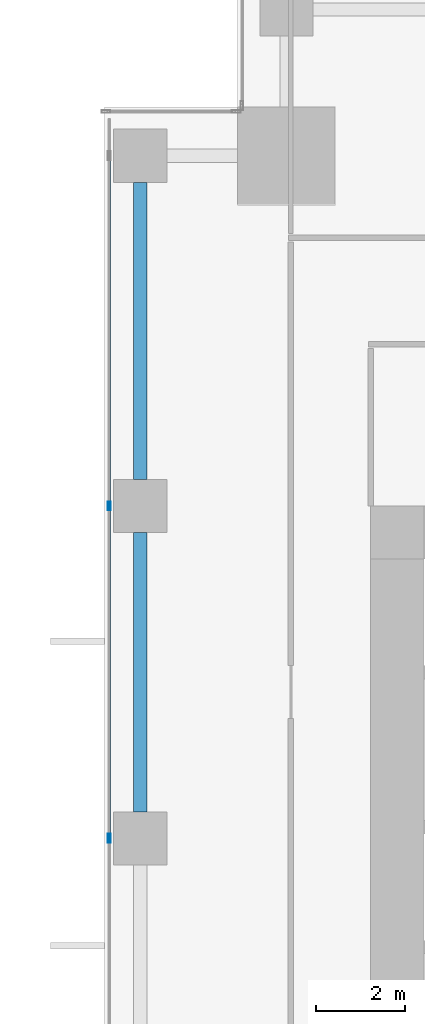
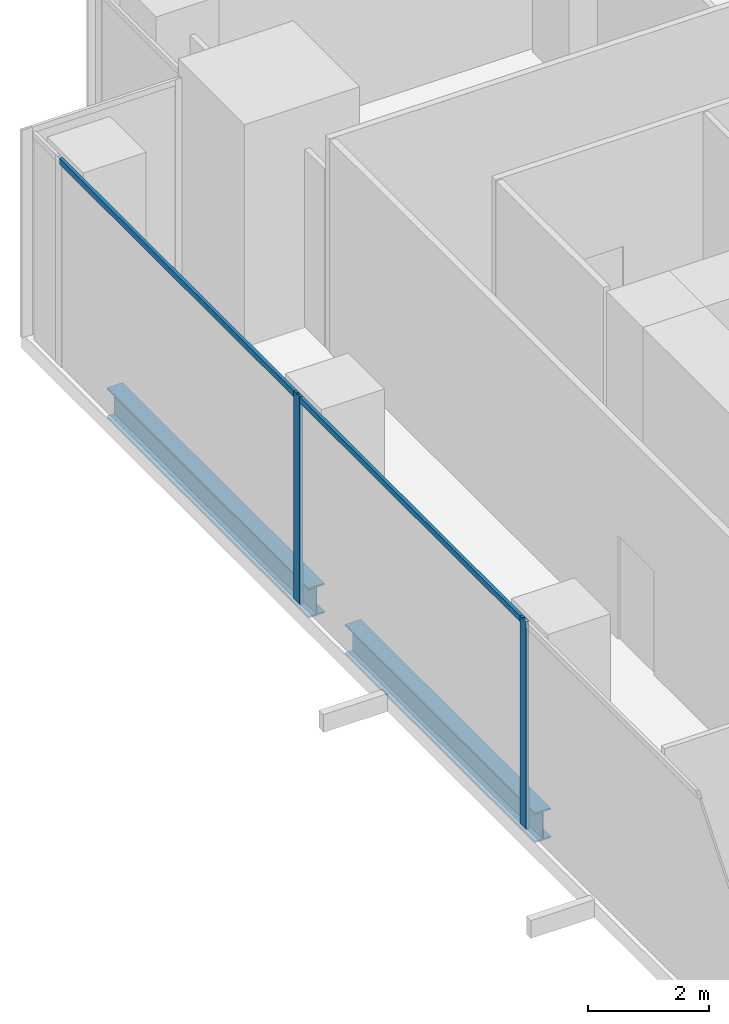
# One storey, part 12 of 33: 4 members, 2 beams, 1 element without a shape of its own.
"""IFC4 building model written with IfcOpenShell, lengths in metres."""

from ifc_helpers import new_model, si_unit, direction, frame, origin, origin_2d, place, context, subcontext, project, spatial, hollow_rectangle, i_section, extrude, source, transform, mapped, material, material_profile, profile_set, type_object, element, aggregate, save


model = new_model("IFC4")

# Units and contexts
model_context = context("Model", 3, precision=1e-05, world=origin(), true_north=direction((0.0, 1.0)))
body_context = subcontext(model_context, "Body", "Model", "MODEL_VIEW")
ifc_project = project(units=[si_unit("LENGTHUNIT", "METRE"), si_unit("AREAUNIT", "SQUARE_METRE"), si_unit("VOLUMEUNIT", "CUBIC_METRE"), si_unit("PLANEANGLEUNIT", "RADIAN"), si_unit("MASSUNIT", "GRAM", prefix="KILO")], contexts=[model_context])

# Site, building, storey
site_placement = place(None, origin())
site = spatial("IfcSite", under=ifc_project, at=site_placement, CompositionType="ELEMENT")
building_placement = place(site_placement, origin())
building = spatial("IfcBuilding", under=site, at=building_placement, Name="Khomas Fold Tower", CompositionType="ELEMENT")
storey_placement = place(building_placement, frame((0.0, 0.0, 55.5)))
storey = spatial("IfcBuildingStorey", under=building, at=storey_placement, Name="L11", CompositionType="ELEMENT", Elevation=55.5)

# Beams
ifc_material_1 = material(Name="Steel S355", Category="steel")
ifc_material_profile_1 = material_profile(ifc_material_1, i_section(OverallWidth=0.300048828125, OverallDepth=0.60009765625, WebThickness=0.015380859375, FlangeThickness=0.030029296875, at=origin_2d()), Name="HE 600 B")
ifc_profile_set_1 = profile_set([ifc_material_profile_1], Name="Steel S355")
beam_type = type_object("IfcBeamType", Name="HE 600 B spandrel SB1", PredefinedType="SPANDREL", material=ifc_profile_set_1)
shared_shape_1 = source(origin(), body_context, "Body", "SweptSolid", [
    extrude(i_section(OverallWidth=0.300048828125, OverallDepth=0.60009765625, WebThickness=0.015380859375, FlangeThickness=0.030029296875, at=origin_2d()), origin(), (0.0, 0.0, 1.0), 6.699951171875),
])
beam_1_placement = place(storey_placement, frame((0.800048828125, 42.60009765625, -0.60009765625), z_axis=(0.0, 1.0, 0.0), x_axis=(-1.0, 0.0, 0.0)))
element("IfcBeam", 1, at=beam_1_placement, inside=storey, type_object=beam_type, Name="SB1", PredefinedType="SPANDREL", context=body_context, shape_type="MappedRepresentation", body=[
    mapped(shared_shape_1, transform((0.0, 0.0, 0.0))),
])
shared_shape_2 = source(origin(), body_context, "Body", "SweptSolid", [
    extrude(i_section(OverallWidth=0.300048828125, OverallDepth=0.60009765625, WebThickness=0.015380859375, FlangeThickness=0.030029296875, at=origin_2d()), origin(), (0.0, 0.0, 1.0), 6.2998046875),
])
beam_2_placement = place(storey_placement, frame((0.800048828125, 35.10009765625, -0.60009765625), z_axis=(0.0, 1.0, 0.0), x_axis=(-1.0, 0.0, 0.0)))
element("IfcBeam", 2, at=beam_2_placement, inside=storey, type_object=beam_type, Name="SB1", PredefinedType="SPANDREL", context=body_context, shape_type="MappedRepresentation", body=[
    mapped(shared_shape_2, transform((0.0, 0.0, 0.0))),
])

# Curtain wall, members
ifc_material_2 = material(Name="Aluminium framed double glazing", Category="aluminium")
curtain_wall_type = type_object("IfcCurtainWallType", Name="SK-Unitised clear-glass wall, growing floors CW1", PredefinedType="NOTDEFINED", material=ifc_material_2)
curtain_wall_placement = place(storey_placement, origin())
curtain_wall = element("IfcCurtainWall", 3, at=curtain_wall_placement, inside=storey, type_object=curtain_wall_type, Name="CW1 run L11 09-0", PredefinedType="NOTDEFINED")
ifc_material_3 = material(Name="Aluminium", Category="aluminium")
ifc_material_profile_2 = material_profile(ifc_material_3, hollow_rectangle(XDim=0.06005859375, YDim=0.1201171875, WallThickness=0.00390625, at=origin_2d()), Name="SK-Unitised clear-glass wall, growing floors transom CW1-T")
ifc_profile_set_2 = profile_set([ifc_material_profile_2], Name="Aluminium")
member_type_1 = type_object("IfcMemberType", Name="SK-Unitised clear-glass wall, growing floors transom CW1-T", PredefinedType="USERDEFINED", material=ifc_profile_set_2)
shared_shape_3 = source(origin(), body_context, "Body", "SweptSolid", [
    extrude(hollow_rectangle(XDim=0.06005859375, YDim=0.1201171875, WallThickness=0.00390625, at=origin_2d()), origin(), (0.0, 0.0, 1.0), 7.840087890625),
])
member_1_placement = place(storey_placement, frame((0.10009765625, 49.8701171875, 4.139892578125), z_axis=(0.0, -1.0, 0.0), x_axis=(1.0, 0.0, 0.0)))
member_1 = element("IfcMember", 4, at=member_1_placement, type_object=member_type_1, Name="CW1 transom 2", ObjectType="TRANSOM", PredefinedType="USERDEFINED", context=body_context, shape_type="MappedRepresentation", body=[
    mapped(shared_shape_3, transform((0.0, 0.0, 0.0))),
])
shared_shape_4 = source(origin(), body_context, "Body", "SweptSolid", [
    extrude(hollow_rectangle(XDim=0.06005859375, YDim=0.1201171875, WallThickness=0.00390625, at=origin_2d()), origin(), (0.0, 0.0, 1.0), 7.43994140625),
])
member_2_placement = place(storey_placement, frame((0.10009765625, 41.969970703125, 4.139892578125), z_axis=(0.0, -1.0, 0.0), x_axis=(1.0, 0.0, 0.0)))
member_2 = element("IfcMember", 5, at=member_2_placement, type_object=member_type_1, Name="CW1 transom 3", ObjectType="TRANSOM", PredefinedType="USERDEFINED", context=body_context, shape_type="MappedRepresentation", body=[
    mapped(shared_shape_4, transform((0.0, 0.0, 0.0))),
])
ifc_material_4 = material(Name="Aluminium", Category="aluminium")
ifc_material_profile_3 = material_profile(ifc_material_4, hollow_rectangle(XDim=0.06005859375, YDim=0.199951171875, WallThickness=0.00390625, at=origin_2d()), Name="SK-Unitised clear-glass wall, growing floors mullion CW1-M")
ifc_profile_set_3 = profile_set([ifc_material_profile_3], Name="Aluminium")
member_type_2 = type_object("IfcMemberType", Name="SK-Unitised clear-glass wall, growing floors mullion CW1-M", PredefinedType="MULLION", material=ifc_profile_set_3)
shared_shape_5 = source(origin(), body_context, "Body", "SweptSolid", [
    extrude(hollow_rectangle(XDim=0.06005859375, YDim=0.199951171875, WallThickness=0.00390625, at=origin_2d()), origin(), (0.0, 0.0, 1.0), 4.199951171875),
])
member_3_placement = place(storey_placement, frame((0.10009765625, 42.0, 0.0), z_axis=(0.0, 0.0, 1.0), x_axis=(1.0, 0.0, 0.0)))
member_3 = element("IfcMember", 6, at=member_3_placement, type_object=member_type_2, Name="CW1 mullion 3", PredefinedType="MULLION", context=body_context, shape_type="MappedRepresentation", body=[
    mapped(shared_shape_5, transform((0.0, 0.0, 0.0))),
])
member_4_placement = place(storey_placement, frame((0.10009765625, 34.5, 0.0), z_axis=(0.0, 0.0, 1.0), x_axis=(1.0, 0.0, 0.0)))
member_4 = element("IfcMember", 7, at=member_4_placement, type_object=member_type_2, Name="CW1 mullion 4", PredefinedType="MULLION", context=body_context, shape_type="MappedRepresentation", body=[
    mapped(shared_shape_5, transform((0.0, 0.0, 0.0))),
])
aggregate(curtain_wall, [member_3, member_4, member_1, member_2])

save(model, "model.ifc")
